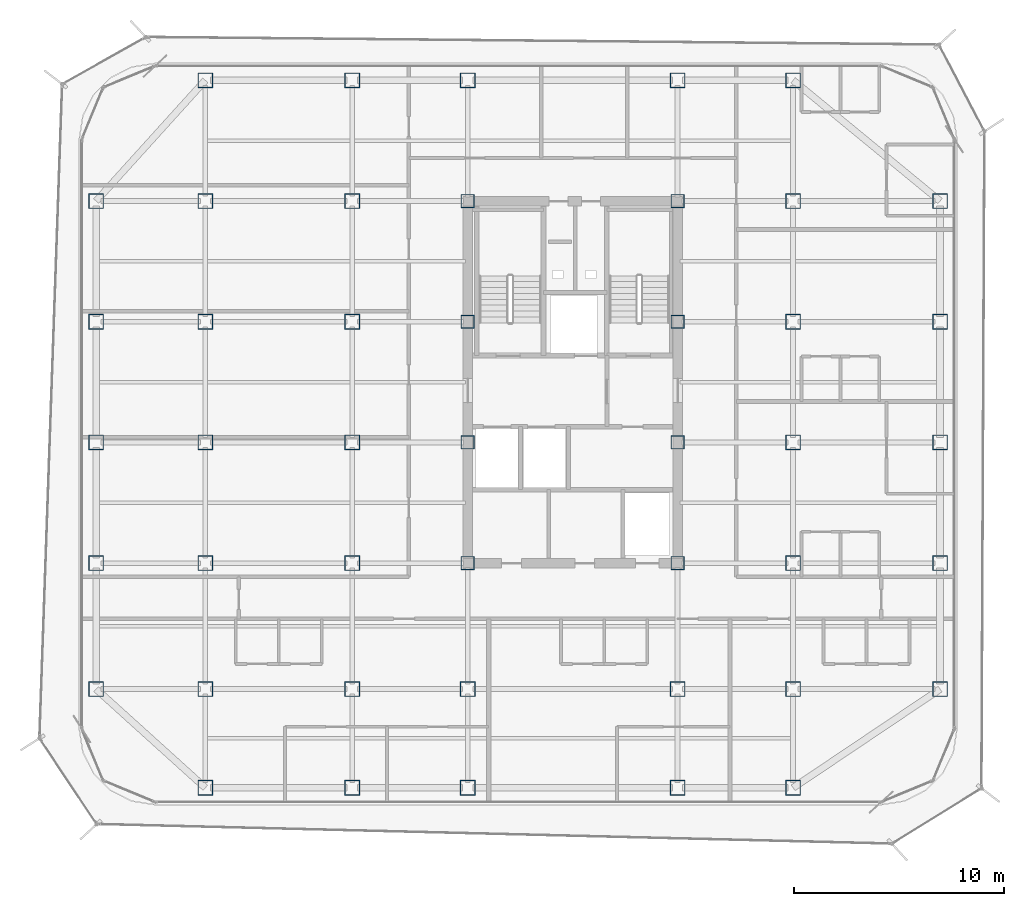
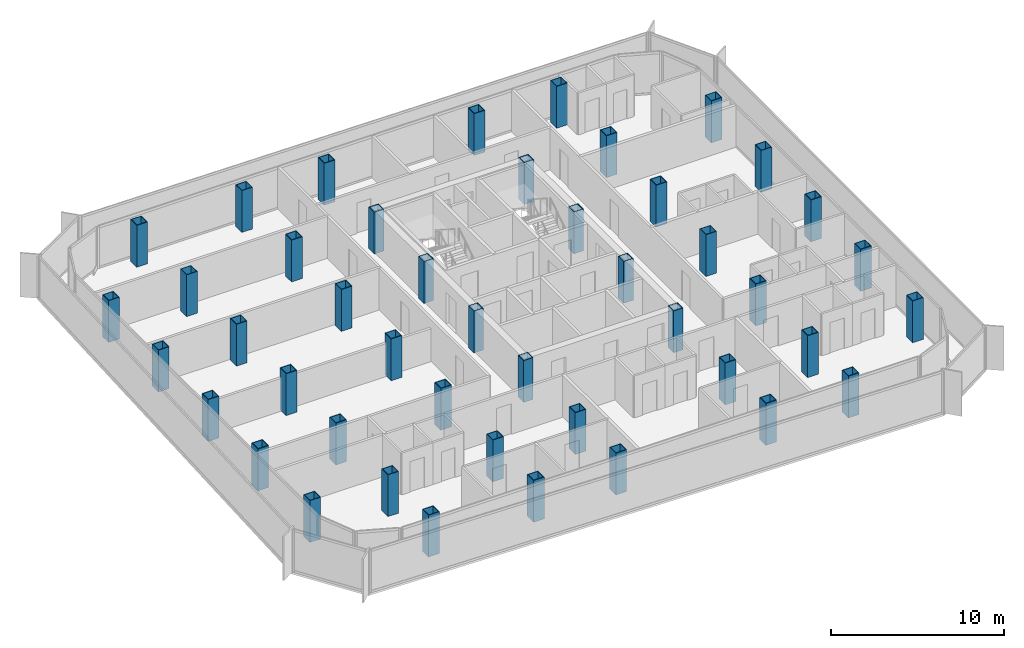
# One storey, part 1 of 15: 45 columns.
"""IFC4 building model written with IfcOpenShell, lengths in metres."""

from ifc_helpers import new_model, si_unit, direction, frame, origin, origin_2d, place, context, subcontext, project, spatial, hollow_rectangle, extrude, source, transform, mapped, material, material_profile, profile_set, type_object, element, save


model = new_model("IFC4")

# Units and contexts
model_context = context("Model", 3, precision=1e-05, world=origin(), true_north=direction((0.0, 1.0)))
body_context = subcontext(model_context, "Body", "Model", "MODEL_VIEW")
ifc_project = project(units=[si_unit("LENGTHUNIT", "METRE"), si_unit("AREAUNIT", "SQUARE_METRE"), si_unit("VOLUMEUNIT", "CUBIC_METRE"), si_unit("PLANEANGLEUNIT", "RADIAN"), si_unit("MASSUNIT", "GRAM", prefix="KILO")], contexts=[model_context])

# Site, building, storey
site_placement = place(None, origin())
site = spatial("IfcSite", under=ifc_project, at=site_placement, CompositionType="ELEMENT")
building_placement = place(site_placement, origin())
building = spatial("IfcBuilding", under=site, at=building_placement, Name="Kolveth Station Tower", CompositionType="ELEMENT")
storey_placement = place(building_placement, frame((0.0, 0.0, 199.60009765625)))
storey = spatial("IfcBuildingStorey", under=building, at=storey_placement, Name="L56", CompositionType="ELEMENT", Elevation=199.60009765625)

# Columns
ifc_material = material(Name="Steel S355", Category="steel")
ifc_material_profile_1 = material_profile(ifc_material, hollow_rectangle(XDim=0.719970703125, YDim=0.719970703125, WallThickness=0.0400390625, at=origin_2d()), Name="BOX720x720x40")
ifc_profile_set_1 = profile_set([ifc_material_profile_1], Name="Steel S355")
column_type_1 = type_object("IfcColumnType", Name="Col_C6", PredefinedType="COLUMN", material=ifc_profile_set_1)
shared_shape_1 = source(origin(), body_context, "Body", "SweptSolid", [
    extrude(hollow_rectangle(XDim=0.719970703125, YDim=0.719970703125, WallThickness=0.0400390625, at=origin_2d()), origin(), (0.0, 0.0, 1.0), 2.949951171875),
])
for number, where, z_axis, x_axis, name in (
    (1, (6.0, 0.800048828125, 0.0), (0.0, 0.0, 1.0), (1.0, 0.0, 0.0), "L56 Tower Column S-X60"),
    (2, (6.0, 34.5, 0.0), (0.0, 0.0, 1.0), (1.0, 0.0, 0.0), "L56 Tower Column N-X60"),
    (3, (13.0, 0.800048828125, 0.0), (0.0, 0.0, 1.0), (1.0, 0.0, 0.0), "L56 Tower Column S-X130"),
    (4, (13.0, 34.5, 0.0), (0.0, 0.0, 1.0), (1.0, 0.0, 0.0), "L56 Tower Column N-X130"),
    (5, (18.5, 0.800048828125, 0.0), (0.0, 0.0, 1.0), (1.0, 0.0, 0.0), "L56 Tower Column S-X185"),
    (6, (18.5, 34.5, 0.0), (0.0, 0.0, 1.0), (1.0, 0.0, 0.0), "L56 Tower Column N-X185"),
    (7, (28.5, 0.800048828125, 0.0), (0.0, 0.0, 1.0), (1.0, 0.0, 0.0), "L56 Tower Column S-X285"),
    (8, (28.5, 34.5, 0.0), (0.0, 0.0, 1.0), (1.0, 0.0, 0.0), "L56 Tower Column N-X285"),
    (9, (34.0, 0.800048828125, 0.0), (0.0, 0.0, 1.0), (1.0, 0.0, 0.0), "L56 Tower Column S-X340"),
    (10, (34.0, 34.5, 0.0), (0.0, 0.0, 1.0), (1.0, 0.0, 0.0), "L56 Tower Column N-X340"),
    (11, (0.800048828125, 5.5, 0.0), (0.0, 0.0, 1.0), (1.0, 0.0, 0.0), "L56 Tower Column W-Y55"),
    (12, (41.0, 5.5, 0.0), (0.0, 0.0, 1.0), (1.0, 0.0, 0.0), "L56 Tower Column E-Y55"),
    (13, (0.800048828125, 11.5, 0.0), (0.0, 0.0, 1.0), (1.0, 0.0, 0.0), "L56 Tower Column W-Y115"),
    (14, (41.0, 11.5, 0.0), (0.0, 0.0, 1.0), (1.0, 0.0, 0.0), "L56 Tower Column E-Y115"),
    (15, (0.800048828125, 17.25, 0.0), (0.0, 0.0, 1.0), (1.0, 0.0, 0.0), "L56 Tower Column W-Y172"),
    (16, (41.0, 17.25, 0.0), (0.0, 0.0, 1.0), (1.0, 0.0, 0.0), "L56 Tower Column E-Y172"),
    (17, (0.800048828125, 23.0, 0.0), (0.0, 0.0, 1.0), (1.0, 0.0, 0.0), "L56 Tower Column W-Y230"),
    (18, (41.0, 23.0, 0.0), (0.0, 0.0, 1.0), (1.0, 0.0, 0.0), "L56 Tower Column E-Y230"),
    (19, (0.800048828125, 28.75, 0.0), (0.0, 0.0, 1.0), (1.0, 0.0, 0.0), "L56 Tower Column W-Y287"),
    (20, (41.0, 28.75, 0.0), (0.0, 0.0, 1.0), (1.0, 0.0, 0.0), "L56 Tower Column E-Y287"),
    (21, (6.0, 5.5, 0.0), (0.0, 0.0, 1.0), (1.0, 0.0, 0.0), "L56 Tower Column G-60-55"),
    (22, (6.0, 11.5, 0.0), (0.0, 0.0, 1.0), (1.0, 0.0, 0.0), "L56 Tower Column G-60-115"),
    (23, (6.0, 17.25, 0.0), (0.0, 0.0, 1.0), (1.0, 0.0, 0.0), "L56 Tower Column G-60-172"),
    (24, (6.0, 23.0, 0.0), (0.0, 0.0, 1.0), (1.0, 0.0, 0.0), "L56 Tower Column G-60-230"),
    (25, (6.0, 28.75, 0.0), (0.0, 0.0, 1.0), (1.0, 0.0, 0.0), "L56 Tower Column G-60-287"),
    (26, (13.0, 5.5, 0.0), (0.0, 0.0, 1.0), (1.0, 0.0, 0.0), "L56 Tower Column G-130-55"),
    (27, (13.0, 11.5, 0.0), (0.0, 0.0, 1.0), (1.0, 0.0, 0.0), "L56 Tower Column G-130-115"),
    (28, (13.0, 17.25, 0.0), (0.0, 0.0, 1.0), (1.0, 0.0, 0.0), "L56 Tower Column G-130-172"),
    (29, (13.0, 23.0, 0.0), (0.0, 0.0, 1.0), (1.0, 0.0, 0.0), "L56 Tower Column G-130-230"),
    (30, (13.0, 28.75, 0.0), (0.0, 0.0, 1.0), (1.0, 0.0, 0.0), "L56 Tower Column G-130-287"),
    (31, (18.5, 5.5, 0.0), (0.0, 0.0, 1.0), (1.0, 0.0, 0.0), "L56 Tower Column G-185-55"),
    (32, (28.5, 5.5, 0.0), (0.0, 0.0, 1.0), (1.0, 0.0, 0.0), "L56 Tower Column G-285-55"),
    (33, (34.0, 5.5, 0.0), (0.0, 0.0, 1.0), (1.0, 0.0, 0.0), "L56 Tower Column G-340-55"),
    (34, (34.0, 11.5, 0.0), (0.0, 0.0, 1.0), (1.0, 0.0, 0.0), "L56 Tower Column G-340-115"),
    (35, (34.0, 17.25, 0.0), (0.0, 0.0, 1.0), (1.0, 0.0, 0.0), "L56 Tower Column G-340-172"),
    (36, (34.0, 23.0, 0.0), (0.0, 0.0, 1.0), (1.0, 0.0, 0.0), "L56 Tower Column G-340-230"),
    (37, (34.0, 28.75, 0.0), (0.0, 0.0, 1.0), (1.0, 0.0, 0.0), "L56 Tower Column G-340-287"),
):
    element("IfcColumn", number, at=place(storey_placement, frame(where, z_axis=z_axis, x_axis=x_axis)), inside=storey, type_object=column_type_1, Name=name, PredefinedType="COLUMN", context=body_context, shape_type="MappedRepresentation", body=[
        mapped(shared_shape_1, transform((0.0, 0.0, 0.0), x_axis=(1.0, 0.0, 0.0), y_axis=(0.0, 1.0, 0.0), z_axis=(0.0, 0.0, 1.0), scale=1.0)),
    ])
ifc_material_profile_2 = material_profile(ifc_material, hollow_rectangle(XDim=0.639892578125, YDim=0.639892578125, WallThickness=0.034912109375, at=origin_2d()), Name="BOX640x640x35")
ifc_profile_set_2 = profile_set([ifc_material_profile_2], Name="Steel S355")
column_type_2 = type_object("IfcColumnType", Name="Col_C7", PredefinedType="COLUMN", material=ifc_profile_set_2)
shared_shape_2 = source(origin(), body_context, "Body", "SweptSolid", [
    extrude(hollow_rectangle(XDim=0.639892578125, YDim=0.639892578125, WallThickness=0.034912109375, at=origin_2d()), origin(), (0.0, 0.0, 1.0), 2.949951171875),
])
for number, where, z_axis, x_axis, name in (
    (38, (18.5, 11.5, 0.0), (0.0, 0.0, 1.0), (1.0, 0.0, 0.0), "L56 Tower Column G-185-115"),
    (39, (18.5, 17.25, 0.0), (0.0, 0.0, 1.0), (1.0, 0.0, 0.0), "L56 Tower Column G-185-172"),
    (40, (18.5, 23.0, 0.0), (0.0, 0.0, 1.0), (1.0, 0.0, 0.0), "L56 Tower Column G-185-230"),
    (41, (18.5, 28.75, 0.0), (0.0, 0.0, 1.0), (1.0, 0.0, 0.0), "L56 Tower Column G-185-287"),
    (42, (28.5, 11.5, 0.0), (0.0, 0.0, 1.0), (1.0, 0.0, 0.0), "L56 Tower Column G-285-115"),
    (43, (28.5, 17.25, 0.0), (0.0, 0.0, 1.0), (1.0, 0.0, 0.0), "L56 Tower Column G-285-172"),
    (44, (28.5, 23.0, 0.0), (0.0, 0.0, 1.0), (1.0, 0.0, 0.0), "L56 Tower Column G-285-230"),
    (45, (28.5, 28.75, 0.0), (0.0, 0.0, 1.0), (1.0, 0.0, 0.0), "L56 Tower Column G-285-287"),
):
    element("IfcColumn", number, at=place(storey_placement, frame(where, z_axis=z_axis, x_axis=x_axis)), inside=storey, type_object=column_type_2, Name=name, PredefinedType="COLUMN", context=body_context, shape_type="MappedRepresentation", body=[
        mapped(shared_shape_2, transform((0.0, 0.0, 0.0), x_axis=(1.0, 0.0, 0.0), y_axis=(0.0, 1.0, 0.0), z_axis=(0.0, 0.0, 1.0), scale=1.0)),
    ])

save(model, "model.ifc")
